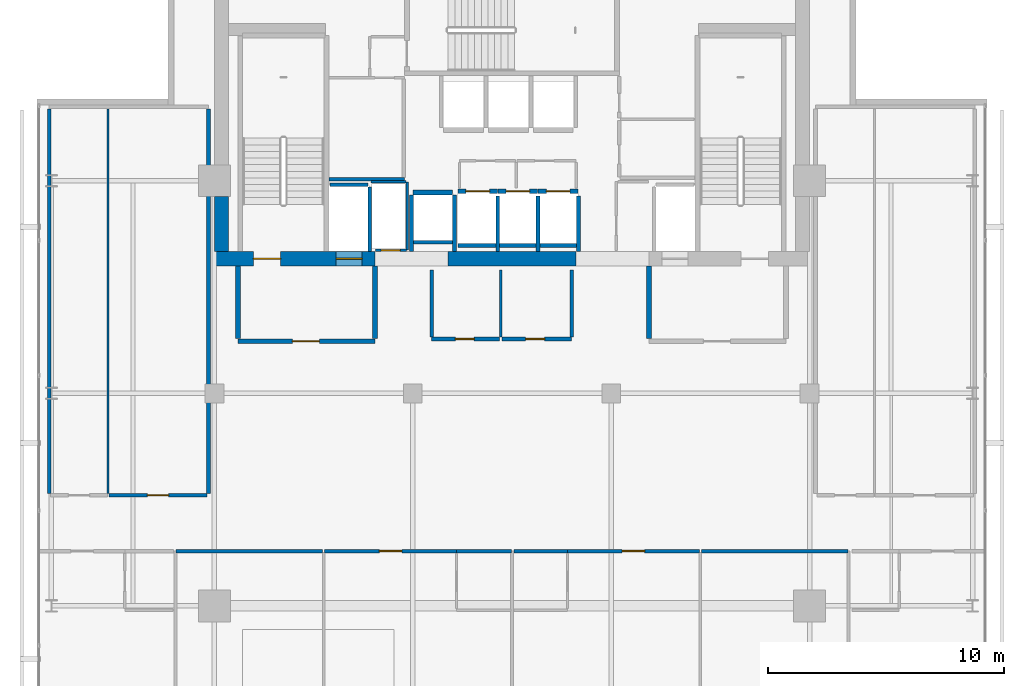
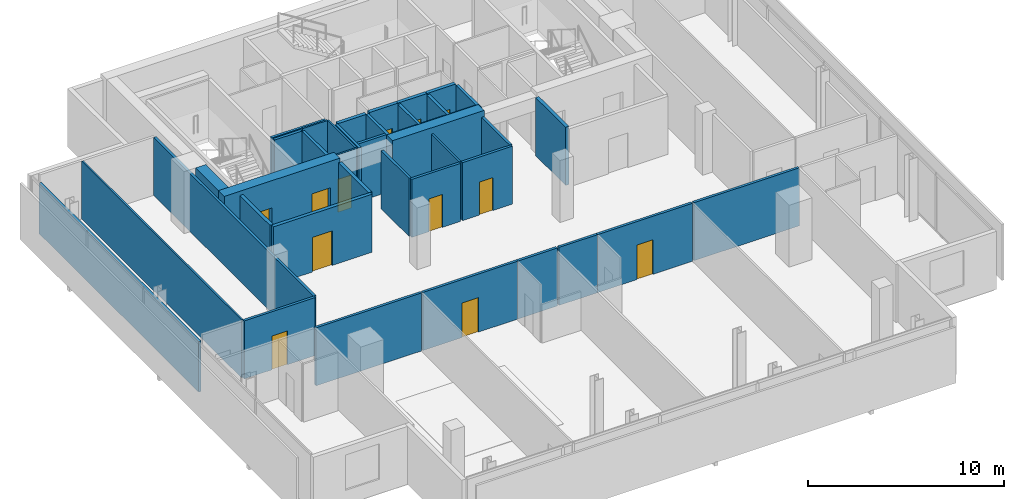
# One storey, part 17 of 23: 39 walls, 12 doors, 12 openings.
"""IFC4 building model written with IfcOpenShell, lengths in metres."""

import ifcopenshell
import ifcopenshell.guid

model = None  # the IFC model being written
_history = None  # IfcOwnerHistory: only IFC2X3 demands one
_inside = {}  # id of a spatial element -> (the spatial element, [elements in it])
_under = {}  # id of a project, library or spatial element -> (it, [spatial elements below it])
_declared = {}  # id of a project -> (the project, [libraries it declares])
_typed = {}  # id of a type object -> (the type object, [elements of that type])
_made_of = {}  # id of a material, layer set ... -> (it, [elements and type objects made of it])


def new_model(schema):
    """Start an empty IFC model of exactly this schema.

    Asked for "IFC4X3", IfcOpenShell would pick the latest addendum, in which some entities
    have other attributes; the version numbers below select the first issue.
    IFC2X3 requires an IfcOwnerHistory on every rooted entity: one is made here for all.
    """
    global model, _history
    if schema == "IFC4X3":
        model = ifcopenshell.file(schema_version=(4, 3, 0, 0))
    else:
        model = ifcopenshell.file(schema=schema)
    _inside.clear()
    _under.clear()
    _declared.clear()
    _typed.clear()
    _made_of.clear()
    _history = None
    if model.schema == "IFC2X3":
        org = make("IfcOrganization", Name="unknown")
        user = make(
            "IfcPersonAndOrganization",
            ThePerson=make("IfcPerson", FamilyName="unknown"),
            TheOrganization=org,
        )
        app = make(
            "IfcApplication",
            ApplicationDeveloper=org,
            Version="unknown",
            ApplicationFullName="unknown",
            ApplicationIdentifier="unknown",
        )
        _history = make(
            "IfcOwnerHistory",
            OwningUser=user,
            OwningApplication=app,
            ChangeAction="ADDED",
            CreationDate=0,
        )
    return model


def make(cls, **values):
    """One entity of the class cls with the attributes given. An attribute that is None is left unset."""
    return model.create_entity(
        cls, **{name: value for name, value in values.items() if value is not None}
    )


def rooted(cls, **values):
    """An entity with a GlobalId (a new one), such as an element, a storey or a relation."""
    return make(cls, GlobalId=ifcopenshell.guid.new(), OwnerHistory=_history, **values)


def si_unit(unit_type, name, prefix=None):
    """IfcSIUnit, for example si_unit("LENGTHUNIT", "METRE", prefix="MILLI")."""
    return make("IfcSIUnit", UnitType=unit_type, Prefix=prefix, Name=name)


def assignment(units):
    """IfcUnitAssignment: the units of a project."""
    return None if units is None else make("IfcUnitAssignment", Units=units)


def point(xyz):
    """IfcCartesianPoint."""
    return None if xyz is None else make("IfcCartesianPoint", Coordinates=xyz)


def direction(xyz):
    """IfcDirection."""
    return None if xyz is None else make("IfcDirection", DirectionRatios=xyz)


def frame(location, z_axis=None, x_axis=None):
    """IfcAxis2Placement3D, a coordinate frame: its origin and axes. An axis left out is left unset."""
    return make(
        "IfcAxis2Placement3D",
        Location=point(location),
        Axis=direction(z_axis),
        RefDirection=direction(x_axis),
    )


def frame_2d(location, x_axis=None):
    """IfcAxis2Placement2D, a coordinate frame in the plane: its origin and x axis."""
    return make(
        "IfcAxis2Placement2D", Location=point(location), RefDirection=direction(x_axis)
    )


def origin():
    """The frame at (0, 0, 0) with its axes left unset."""
    return frame((0.0, 0.0, 0.0))


def place(relative_to, where):
    """IfcLocalPlacement: puts the frame where relative to a parent placement (None: the world)."""
    return make(
        "IfcLocalPlacement", PlacementRelTo=relative_to, RelativePlacement=where
    )


def context(
    kind, dimensions, precision=None, world=None, true_north=None, identifier=None
):
    """IfcGeometricRepresentationContext, for example the 3D "Model" context."""
    return make(
        "IfcGeometricRepresentationContext",
        ContextIdentifier=identifier,
        ContextType=kind,
        CoordinateSpaceDimension=dimensions,
        Precision=precision,
        WorldCoordinateSystem=world,
        TrueNorth=true_north,
    )


def subcontext(parent, identifier, kind, view, scale=None):
    """IfcGeometricRepresentationSubContext, for example "Body" below "Model"."""
    return make(
        "IfcGeometricRepresentationSubContext",
        ContextIdentifier=identifier,
        ContextType=kind,
        ParentContext=parent,
        TargetScale=scale,
        TargetView=view,
    )


def project(units=None, contexts=None):
    """IfcProject with its units and contexts."""
    return rooted(
        "IfcProject",
        Name="project",
        RepresentationContexts=contexts,
        UnitsInContext=assignment(units),
    )


def spatial(cls, under=None, at=None, **own):
    """A site, building, storey or space (cls), placed at a placement, below another one or the project."""
    s = rooted(cls, ObjectPlacement=at, **own)
    if under is not None:
        _under.setdefault(under.id(), (under, []))[1].append(s)
    return s


def profile(cls, at=None, kind="AREA", **sizes):
    """A parametric profile (cls). Its sizes go by their IFC names, for example OverallWidth=200.0."""
    return make(cls, ProfileType=kind, Position=at, **sizes)


def rectangle(**sizes):
    """IfcRectangleProfileDef."""
    return profile("IfcRectangleProfileDef", **sizes)


def extrude(swept, where, along, depth):
    """IfcExtrudedAreaSolid: the profile swept, set in the frame where, extruded along a direction by depth."""
    return make(
        "IfcExtrudedAreaSolid",
        SweptArea=swept,
        Position=where,
        ExtrudedDirection=direction(along),
        Depth=depth,
    )


def shape(context_of_items, identifier, shape_type, items):
    """IfcShapeRepresentation: the items that make up one representation, for example the "Body"."""
    return make(
        "IfcShapeRepresentation",
        ContextOfItems=context_of_items,
        RepresentationIdentifier=identifier,
        RepresentationType=shape_type,
        Items=items,
    )


def material(Name=None, Category=None):
    """IfcMaterial."""
    return make("IfcMaterial", Name=Name, Category=Category)


def layer(
    of_material, thickness, ventilated=None, Name=None, Category=None, Priority=None
):
    """IfcMaterialLayer: one layer of a wall or slab, of a material (None: an air gap)."""
    return make(
        "IfcMaterialLayer",
        Material=of_material,
        LayerThickness=thickness,
        IsVentilated=ventilated,
        Name=Name,
        Category=Category,
        Priority=Priority,
    )


def layer_set(layers, Name=None):
    """IfcMaterialLayerSet."""
    return make("IfcMaterialLayerSet", MaterialLayers=layers, LayerSetName=Name)


def made_of(thing, what):
    """Note that an element or type object is made of a material, layer set ...; save() writes the relation."""
    if what is not None:
        _made_of.setdefault(what.id(), (what, []))[1].append(thing)
    return thing


def type_object(cls, material=None, **own):
    """A type object (cls), such as IfcWallType, which elements share."""
    return made_of(rooted(cls, **own), material)


def element(
    cls,
    number,
    at=None,
    inside=None,
    cuts=None,
    type_object=None,
    material=None,
    context=None,
    identifier="Body",
    shape_type=None,
    held_by="IfcProductDefinitionShape",
    body=None,
    shapes=None,
    **own,
):
    """One element of the class cls, such as IfcWall. Its Tag is "e" and its number.

    at: its placement. inside: the storey or other place that contains it. cuts: it is an
    opening in that element (IfcRelVoidsElement). A single representation is given by context,
    identifier, shape_type and body (its items); several are given by shapes. held_by: the class
    of the entity that holds the representations. save() writes the other relations.
    """
    e = rooted(cls, Tag="e%d" % number, ObjectPlacement=at, **own)
    if body is not None:
        shapes = [shape(context, identifier, shape_type, body)]
    if shapes is not None:
        e.Representation = make(held_by, Representations=shapes)
    if inside is not None:
        _inside.setdefault(inside.id(), (inside, []))[1].append(e)
    if cuts is not None:
        rooted(
            "IfcRelVoidsElement", RelatingBuildingElement=cuts, RelatedOpeningElement=e
        )
    if type_object is not None:
        _typed.setdefault(type_object.id(), (type_object, []))[1].append(e)
    return made_of(e, material)


def fill(opening, filler):
    """IfcRelFillsElement: the door or window that sits in an opening."""
    return rooted(
        "IfcRelFillsElement",
        RelatingOpeningElement=opening,
        RelatedBuildingElement=filler,
    )


def aggregate(whole, parts):
    """IfcRelAggregates: a whole, such as a stair, and the parts it consists of."""
    return rooted("IfcRelAggregates", RelatingObject=whole, RelatedObjects=parts)


def save(model, path):
    """Write the relations noted so far, then the file.

    IfcRelAggregates (storeys below a building ...), IfcRelContainedInSpatialStructure (elements
    in a storey), IfcRelDefinesByType, IfcRelAssociatesMaterial and IfcRelDeclares: one each for
    every whole, place, type object, material and project.
    """
    for whole, parts in _under.values():
        aggregate(whole, parts)
    for where, things in _inside.values():
        rooted(
            "IfcRelContainedInSpatialStructure",
            RelatedElements=things,
            RelatingStructure=where,
        )
    for kind, things in _typed.values():
        rooted("IfcRelDefinesByType", RelatedObjects=things, RelatingType=kind)
    for what, things in _made_of.values():
        rooted("IfcRelAssociatesMaterial", RelatedObjects=things, RelatingMaterial=what)
    for by, libraries in _declared.values():
        rooted("IfcRelDeclares", RelatingContext=by, RelatedDefinitions=libraries)
    model.write(path)


model = new_model("IFC4")

# Units and contexts
model_context = context("Model", 3, precision=1e-05, world=origin(), true_north=direction((0.0, 1.0)))
body_context = subcontext(model_context, "Body", "Model", "MODEL_VIEW")
ifc_project = project(units=[si_unit("LENGTHUNIT", "METRE"), si_unit("AREAUNIT", "SQUARE_METRE"), si_unit("VOLUMEUNIT", "CUBIC_METRE"), si_unit("PLANEANGLEUNIT", "RADIAN"), si_unit("MASSUNIT", "GRAM", prefix="KILO")], contexts=[model_context])

# Site, building, storey
site_placement = place(None, origin())
site = spatial("IfcSite", under=ifc_project, at=site_placement, CompositionType="ELEMENT")
building_placement = place(site_placement, origin())
building = spatial("IfcBuilding", under=site, at=building_placement, Name="Maruvema Waterfront Hotel and Observation Tower", CompositionType="ELEMENT")
storey_placement = place(building_placement, frame((0.0, 0.0, 337.39990234375)))
storey = spatial("IfcBuildingStorey", under=building, at=storey_placement, Name="L83", CompositionType="ELEMENT", Elevation=337.39990234375)

# Wall
ifc_material_1 = material(Name="Twin-stud acoustic gypsum drywall", Category="gypsum")
ifc_layer_1 = layer(ifc_material_1, 0.14990234375, Name="Acoustic Corridor and Suite Demising Wall 150 mm")
ifc_layer_set_1 = layer_set([ifc_layer_1], Name="Twin-stud acoustic gypsum drywall")
wall_type_1 = type_object("IfcWallType", Name="Acoustic Corridor and Suite Demising Wall 150 mm", PredefinedType="PARTITIONING", material=ifc_layer_set_1)
wall_1_placement = place(storey_placement, frame((30.06005859375, 45.06005859375, 0.0), z_axis=(0.0, 0.0, 1.0), x_axis=(1.0, 0.0, 0.0)))
element("IfcWall", 1, at=wall_1_placement, inside=storey, type_object=wall_type_1, Name="L83 Freed B1 South Wall 017", PredefinedType="PARTITIONING", context=body_context, shape_type="SweptSolid", body=[
    extrude(rectangle(XDim=3.179931640625, YDim=0.14990234375, at=frame_2d((1.58984375, 0.0))), origin(), (0.0, 0.0, 1.0), 3.610107421875),
])

# Wall, opening, door
wall_2_placement = place(storey_placement, frame((34.39990234375, 38.300048828125, 0.0), z_axis=(0.0, 0.0, 1.0), x_axis=(1.0, 0.0, 0.0)))
wall_2 = element("IfcWall", 2, at=wall_2_placement, inside=storey, type_object=wall_type_1, Name="L83 Core Apron K2A South 026", PredefinedType="PARTITIONING", context=body_context, shape_type="SweptSolid", body=[
    extrude(rectangle(XDim=2.880126953125, YDim=0.14990234375, at=frame_2d((1.43994140625, 0.0))), origin(), (0.0, 0.0, 1.0), 3.610107421875),
])
opening_1_placement = place(wall_2_placement, frame((1.0, 0.0, 0.0)))
opening_1 = element("IfcOpeningElement", 3, at=opening_1_placement, cuts=wall_2, Name="Opening DR-080", PredefinedType="OPENING", context=body_context, shape_type="SweptSolid", body=[
    extrude(rectangle(XDim=0.800048828125, YDim=2.050048828125, at=frame_2d((0.39990234375, 1.02490234375))), frame((0.0, 0.0849609375, 0.0), z_axis=(0.0, -1.0, 0.0), x_axis=(1.0, 0.0, 0.0)), (0.0, 0.0, 1.0), 0.169921875),
])
ifc_material_2 = material(Name="Powder-coated steel access leaf", Category="steel")
door_type_1 = type_object("IfcDoorType", Name="Riser and Service Cupboard Door 800x2050 mm", OperationType="NOTDEFINED", PredefinedType="DOOR", material=ifc_material_2)
door_1_placement = place(opening_1_placement, frame((0.800048828125, 0.0, 0.0), z_axis=(0.0, 0.0, 1.0), x_axis=(-1.0, 0.0, 0.0)))
door_1 = element("IfcDoor", 4, at=door_1_placement, inside=storey, type_object=door_type_1, Name="L83 Core Ice Alcove Door", OperationType="SINGLE_SWING_LEFT", OverallHeight=2.050048828125, OverallWidth=0.800048828125, PredefinedType="DOOR", context=body_context, shape_type="SweptSolid", body=[
    extrude(rectangle(XDim=0.800048828125, YDim=2.050048828125, at=frame_2d((0.39990234375, 1.02490234375))), frame((0.0, 0.02490234375, 0.0), z_axis=(0.0, -1.0, 0.0), x_axis=(1.0, 0.0, 0.0)), (0.0, 0.0, 1.0), 0.050048828125),
])
fill(opening_1, door_1)

wall_3_placement = place(storey_placement, frame((37.3798828125, 38.300048828125, 0.0), z_axis=(0.0, 0.0, 1.0), x_axis=(1.0, 0.0, 0.0)))
wall_3 = element("IfcWall", 5, at=wall_3_placement, inside=storey, type_object=wall_type_1, Name="L83 Core Apron K2B South 027", PredefinedType="PARTITIONING", context=body_context, shape_type="SweptSolid", body=[
    extrude(rectangle(XDim=2.940185546875, YDim=0.14990234375, at=frame_2d((1.47021484375, 0.0))), origin(), (0.0, 0.0, 1.0), 3.610107421875),
])
opening_2_placement = place(wall_3_placement, frame((1.0, 0.0, 0.0)))
opening_2 = element("IfcOpeningElement", 6, at=opening_2_placement, cuts=wall_3, Name="Opening DR-080", PredefinedType="OPENING", context=body_context, shape_type="SweptSolid", body=[
    extrude(rectangle(XDim=0.800048828125, YDim=2.050048828125, at=frame_2d((0.39990234375, 1.02490234375))), frame((0.0, 0.0849609375, 0.0), z_axis=(0.0, -1.0, 0.0), x_axis=(1.0, 0.0, 0.0)), (0.0, 0.0, 1.0), 0.169921875),
])
door_2_placement = place(opening_2_placement, frame((0.800048828125, 0.0, 0.0), z_axis=(0.0, 0.0, 1.0), x_axis=(-1.0, 0.0, 0.0)))
door_2 = element("IfcDoor", 7, at=door_2_placement, inside=storey, type_object=door_type_1, Name="L83 Core Valet Closet Door", OperationType="SINGLE_SWING_RIGHT", OverallHeight=2.050048828125, OverallWidth=0.800048828125, PredefinedType="DOOR", context=body_context, shape_type="SweptSolid", body=[
    extrude(rectangle(XDim=0.800048828125, YDim=2.050048828125, at=frame_2d((0.39990234375, 1.02490234375))), frame((0.0, 0.02490234375, 0.0), z_axis=(0.0, -1.0, 0.0), x_axis=(1.0, 0.0, 0.0)), (0.0, 0.0, 1.0), 0.050048828125),
])
fill(opening_2, door_2)

# Walls
for number, where, z_axis, x_axis, name in (
    (8, (34.39990234375, 38.3798828125, 0.0), (0.0, 0.0, 1.0), (0.0, 1.0, 0.0), "L83 Core Apron K2 West 028"),
    (9, (40.320068359375, 38.3798828125, 0.0), (0.0, 0.0, 1.0), (0.0, 1.0, 0.0), "L83 Core Apron K2 East 030"),
):
    element("IfcWall", number, at=place(storey_placement, frame(where, z_axis=z_axis, x_axis=x_axis)), inside=storey, type_object=wall_type_1, Name=name, PredefinedType="PARTITIONING", context=body_context, shape_type="SweptSolid", body=[
        extrude(rectangle(XDim=2.840087890625, YDim=0.14990234375, at=frame_2d((1.419921875, 0.0))), origin(), (0.0, 0.0, 1.0), 3.610107421875),
    ])
wall_4_placement = place(storey_placement, frame((18.199951171875, 31.760009765625, 0.0), z_axis=(0.0, 0.0, 1.0), x_axis=(0.0, 1.0, 0.0)))
element("IfcWall", 10, at=wall_4_placement, inside=storey, type_object=wall_type_1, Name="L83 L83-Z4W West Wall 032", PredefinedType="PARTITIONING", context=body_context, shape_type="SweptSolid", body=[
    extrude(rectangle(XDim=16.284912109375, YDim=0.14990234375, at=frame_2d((8.142578125, 0.0))), origin(), (0.0, 0.0, 1.0), 3.14111328125),
])
wall_5_placement = place(storey_placement, frame((24.949951171875, 31.760009765625, 0.0), z_axis=(0.0, 0.0, 1.0), x_axis=(0.0, 1.0, 0.0)))
element("IfcWall", 11, at=wall_5_placement, inside=storey, type_object=wall_type_1, Name="L83 L83-Z4W East Wall 033", PredefinedType="PARTITIONING", context=body_context, shape_type="SweptSolid", body=[
    extrude(rectangle(XDim=16.284912109375, YDim=0.14990234375, at=frame_2d((8.142578125, 0.0))), origin(), (0.0, 0.0, 1.0), 3.610107421875),
])

# Wall, opening, door
wall_6_placement = place(storey_placement, frame((20.7275390625, 31.679931640625, 0.0), z_axis=(0.0, 0.0, 1.0), x_axis=(1.0, 0.0, 0.0)))
wall_6 = element("IfcWall", 12, at=wall_6_placement, inside=storey, type_object=wall_type_1, Name="L83 L83-Z4W Front 2 036", PredefinedType="PARTITIONING", context=body_context, shape_type="SweptSolid", body=[
    extrude(rectangle(XDim=4.162353515625, YDim=0.14990234375, at=frame_2d((2.0810546875, 0.0))), origin(), (0.0, 0.0, 1.0), 3.610107421875),
])
opening_3_placement = place(wall_6_placement, frame((1.63134765625, 0.0, 0.0)))
opening_3 = element("IfcOpeningElement", 13, at=opening_3_placement, cuts=wall_6, Name="Opening DR-090", PredefinedType="OPENING", context=body_context, shape_type="SweptSolid", body=[
    extrude(rectangle(XDim=0.89990234375, YDim=2.10009765625, at=frame_2d((0.449951171875, 1.050048828125))), frame((0.0, 0.0849609375, 0.0), z_axis=(0.0, -1.0, 0.0), x_axis=(1.0, 0.0, 0.0)), (0.0, 0.0, 1.0), 0.169921875),
])
ifc_material_3 = material(Name="Solid-core lacquered timber leaf", Category="wood")
door_type_2 = type_object("IfcDoorType", Name="Accessible Toilet and Room Door 900x2100 mm", OperationType="NOTDEFINED", PredefinedType="DOOR", material=ifc_material_3)
door_3_placement = place(opening_3_placement, frame((0.89990234375, 0.0, 0.0), z_axis=(0.0, 0.0, 1.0), x_axis=(-1.0, 0.0, 0.0)))
door_3 = element("IfcDoor", 14, at=door_3_placement, inside=storey, type_object=door_type_2, Name="L83 Private Sommelier Dining Room Door", OperationType="SINGLE_SWING_RIGHT", OverallHeight=2.10009765625, OverallWidth=0.89990234375, PredefinedType="DOOR", context=body_context, shape_type="SweptSolid", body=[
    extrude(rectangle(XDim=0.89990234375, YDim=2.10009765625, at=frame_2d((0.449951171875, 1.050048828125))), frame((0.0, 0.02490234375, 0.0), z_axis=(0.0, -1.0, 0.0), x_axis=(1.0, 0.0, 0.0)), (0.0, 0.0, 1.0), 0.050048828125),
])
fill(opening_3, door_3)

# Walls
wall_7_placement = place(storey_placement, frame((35.449951171875, 29.320068359375, 0.0), z_axis=(0.0, 0.0, 1.0), x_axis=(1.0, 0.0, 0.0)))
element("IfcWall", 15, at=wall_7_placement, inside=storey, type_object=wall_type_1, Name="L83 Bath L83-SK1 Back Wall 045", PredefinedType="PARTITIONING", context=body_context, shape_type="SweptSolid", body=[
    extrude(rectangle(XDim=2.330078125, YDim=0.14990234375, at=frame_2d((1.1650390625, 0.0))), origin(), (0.0, 0.0, 1.0), 3.610107421875),
])
wall_8_placement = place(storey_placement, frame((23.58251953125, 29.320068359375, 0.0), z_axis=(0.0, 0.0, 1.0), x_axis=(1.0, 0.0, 0.0)))
element("IfcWall", 16, at=wall_8_placement, inside=storey, type_object=wall_type_1, Name="L83 Bedroom L83-SK1 Back Wall 048", PredefinedType="PARTITIONING", context=body_context, shape_type="SweptSolid", body=[
    extrude(rectangle(XDim=6.20458984375, YDim=0.14990234375, at=frame_2d((3.102294921875, 0.0))), origin(), (0.0, 0.0, 1.0), 3.610107421875),
])

# Wall, opening, door
wall_9_placement = place(storey_placement, frame((29.866943359375, 29.320068359375, 0.0), z_axis=(0.0, 0.0, 1.0), x_axis=(1.0, 0.0, 0.0)))
wall_9 = element("IfcWall", 17, at=wall_9_placement, inside=storey, type_object=wall_type_1, Name="L83 Unit L83-SK1 Corridor Wall 049", PredefinedType="PARTITIONING", context=body_context, shape_type="SweptSolid", body=[
    extrude(rectangle(XDim=5.5830078125, YDim=0.14990234375, at=frame_2d((2.79150390625, 0.0))), origin(), (0.0, 0.0, 1.0), 3.610107421875),
])
opening_4_placement = place(wall_9_placement, frame((2.31640625, 0.0, 0.0)))
opening_4 = element("IfcOpeningElement", 18, at=opening_4_placement, cuts=wall_9, Name="Opening DR-095", PredefinedType="OPENING", context=body_context, shape_type="SweptSolid", body=[
    extrude(rectangle(XDim=0.949951171875, YDim=2.14990234375, at=frame_2d((0.47509765625, 1.074951171875))), frame((0.0, 0.0849609375, 0.0), z_axis=(0.0, -1.0, 0.0), x_axis=(1.0, 0.0, 0.0)), (0.0, 0.0, 1.0), 0.169921875),
])
ifc_material_4 = material(Name="Acoustic solid-core hardwood timber leaf", Category="wood")
door_type_3 = type_object("IfcDoorType", Name="Guestroom Entrance Fire Door 950x2150 mm", OperationType="NOTDEFINED", PredefinedType="DOOR", material=ifc_material_4)
door_4_placement = place(opening_4_placement, frame((0.949951171875, 0.0, 0.0), z_axis=(0.0, 0.0, 1.0), x_axis=(-1.0, 0.0, 0.0)))
door_4 = element("IfcDoor", 19, at=door_4_placement, inside=storey, type_object=door_type_3, Name="L83 Unit L83-SK1 Entrance Door", OperationType="SINGLE_SWING_RIGHT", OverallHeight=2.14990234375, OverallWidth=0.949951171875, PredefinedType="DOOR", context=body_context, shape_type="SweptSolid", body=[
    extrude(rectangle(XDim=0.949951171875, YDim=2.14990234375, at=frame_2d((0.47509765625, 1.074951171875))), frame((0.0, 0.02490234375, 0.0), z_axis=(0.0, -1.0, 0.0), x_axis=(1.0, 0.0, 0.0)), (0.0, 0.0, 1.0), 0.050048828125),
])
fill(opening_4, door_4)

# Wall
wall_10_placement = place(storey_placement, frame((37.8798828125, 29.320068359375, 0.0), z_axis=(0.0, 0.0, 1.0), x_axis=(1.0, 0.0, 0.0)))
element("IfcWall", 20, at=wall_10_placement, inside=storey, type_object=wall_type_1, Name="L83 Bath L83-SK2 Back Wall 052", PredefinedType="PARTITIONING", context=body_context, shape_type="SweptSolid", body=[
    extrude(rectangle(XDim=2.27001953125, YDim=0.14990234375, at=frame_2d((1.135009765625, 0.0))), origin(), (0.0, 0.0, 1.0), 3.610107421875),
])

# Wall, opening, door
wall_11_placement = place(storey_placement, frame((40.14990234375, 29.320068359375, 0.0), z_axis=(0.0, 0.0, 1.0), x_axis=(1.0, 0.0, 0.0)))
wall_11 = element("IfcWall", 21, at=wall_11_placement, inside=storey, type_object=wall_type_1, Name="L83 Unit L83-SK2 Corridor Wall 055", PredefinedType="PARTITIONING", context=body_context, shape_type="SweptSolid", body=[
    extrude(rectangle(XDim=5.5830078125, YDim=0.14990234375, at=frame_2d((2.79150390625, 0.0))), origin(), (0.0, 0.0, 1.0), 3.610107421875),
])
opening_5_placement = place(wall_11_placement, frame((2.31640625, 0.0, 0.0)))
opening_5 = element("IfcOpeningElement", 22, at=opening_5_placement, cuts=wall_11, Name="Opening DR-095", PredefinedType="OPENING", context=body_context, shape_type="SweptSolid", body=[
    extrude(rectangle(XDim=0.949951171875, YDim=2.14990234375, at=frame_2d((0.47509765625, 1.074951171875))), frame((0.0, 0.0849609375, 0.0), z_axis=(0.0, -1.0, 0.0), x_axis=(1.0, 0.0, 0.0)), (0.0, 0.0, 1.0), 0.169921875),
])
door_5_placement = place(opening_5_placement, frame((0.949951171875, 0.0, 0.0), z_axis=(0.0, 0.0, 1.0), x_axis=(-1.0, 0.0, 0.0)))
door_5 = element("IfcDoor", 23, at=door_5_placement, inside=storey, type_object=door_type_3, Name="L83 Unit L83-SK2 Entrance Door", OperationType="SINGLE_SWING_LEFT", OverallHeight=2.14990234375, OverallWidth=0.949951171875, PredefinedType="DOOR", context=body_context, shape_type="SweptSolid", body=[
    extrude(rectangle(XDim=0.949951171875, YDim=2.14990234375, at=frame_2d((0.47509765625, 1.074951171875))), frame((0.0, 0.02490234375, 0.0), z_axis=(0.0, -1.0, 0.0), x_axis=(1.0, 0.0, 0.0)), (0.0, 0.0, 1.0), 0.050048828125),
])
fill(opening_5, door_5)

# Wall
wall_12_placement = place(storey_placement, frame((45.81298828125, 29.320068359375, 0.0), z_axis=(0.0, 0.0, 1.0), x_axis=(1.0, 0.0, 0.0)))
element("IfcWall", 24, at=wall_12_placement, inside=storey, type_object=wall_type_1, Name="L83 Bedroom L83-SK2 Back Wall 056", PredefinedType="PARTITIONING", context=body_context, shape_type="SweptSolid", body=[
    extrude(rectangle(XDim=6.20458984375, YDim=0.14990234375, at=frame_2d((3.102294921875, 0.0))), origin(), (0.0, 0.0, 1.0), 3.610107421875),
])

# Wall, opening, door
ifc_material_5 = material(Name="Precast concrete C45/55", Category="concrete")
ifc_layer_2 = layer(ifc_material_5, 0.199951171875, Name="Core Shaft and Stairwell Enclosure Wall 200 mm")
ifc_layer_set_2 = layer_set([ifc_layer_2], Name="Precast concrete C45/55")
wall_type_2 = type_object("IfcWallType", Name="Core Shaft and Stairwell Enclosure Wall 200 mm", PredefinedType="SOLIDWALL", material=ifc_layer_set_2)
wall_13_placement = place(storey_placement, frame((35.510009765625, 44.550048828125, 0.0), z_axis=(0.0, 0.0, 1.0), x_axis=(1.0, 0.0, 0.0)))
wall_13 = element("IfcWall", 25, at=wall_13_placement, inside=storey, type_object=wall_type_2, Name="L83 Lift LF-09 Hoistway Front Wall", PredefinedType="SOLIDWALL", context=body_context, shape_type="SweptSolid", body=[
    extrude(rectangle(XDim=1.679931640625, YDim=0.199951171875, at=frame_2d((0.83984375, 0.0))), origin(), (0.0, 0.0, 1.0), 3.610107421875),
])
opening_6_placement = place(wall_13_placement, frame((0.340087890625, 0.0, 0.0)))
opening_6 = element("IfcOpeningElement", 26, at=opening_6_placement, cuts=wall_13, Name="Opening LD-01", PredefinedType="OPENING", context=body_context, shape_type="SweptSolid", body=[
    extrude(rectangle(XDim=1.0, YDim=2.14990234375, at=frame_2d((0.5, 1.074951171875))), frame((0.0, 0.10986328125, 0.0), z_axis=(0.0, -1.0, 0.0), x_axis=(1.0, 0.0, 0.0)), (0.0, 0.0, 1.0), 0.219970703125),
])
ifc_material_6 = material(Name="Brushed stainless steel Grade 316", Category="steel")
door_type_4 = type_object("IfcDoorType", Name="Passenger Lift Sliding Landing Door 1000x2150 mm", OperationType="SLIDING_TO_LEFT", PredefinedType="DOOR", material=ifc_material_6)
door_6_placement = place(opening_6_placement, origin())
door_6 = element("IfcDoor", 27, at=door_6_placement, inside=storey, type_object=door_type_4, Name="L83 Lift LF-09 Sliding Landing Door", OperationType="SLIDING_TO_LEFT", OverallHeight=2.14990234375, OverallWidth=1.0, PredefinedType="DOOR", context=body_context, shape_type="SweptSolid", body=[
    extrude(rectangle(XDim=1.0, YDim=2.14990234375, at=frame_2d((0.5, 1.074951171875))), frame((0.0, 0.02490234375, 0.0), z_axis=(0.0, -1.0, 0.0), x_axis=(1.0, 0.0, 0.0)), (0.0, 0.0, 1.0), 0.050048828125),
])
fill(opening_6, door_6)

wall_14_placement = place(storey_placement, frame((37.2099609375, 44.550048828125, 0.0), z_axis=(0.0, 0.0, 1.0), x_axis=(1.0, 0.0, 0.0)))
wall_14 = element("IfcWall", 28, at=wall_14_placement, inside=storey, type_object=wall_type_2, Name="L83 Lift LF-10 Hoistway Front Wall", PredefinedType="SOLIDWALL", context=body_context, shape_type="SweptSolid", body=[
    extrude(rectangle(XDim=1.679931640625, YDim=0.199951171875, at=frame_2d((0.83984375, 0.0))), origin(), (0.0, 0.0, 1.0), 3.610107421875),
])
opening_7_placement = place(wall_14_placement, frame((0.340087890625, 0.0, 0.0)))
opening_7 = element("IfcOpeningElement", 29, at=opening_7_placement, cuts=wall_14, Name="Opening LD-01", PredefinedType="OPENING", context=body_context, shape_type="SweptSolid", body=[
    extrude(rectangle(XDim=1.0, YDim=2.14990234375, at=frame_2d((0.5, 1.074951171875))), frame((0.0, 0.10986328125, 0.0), z_axis=(0.0, -1.0, 0.0), x_axis=(1.0, 0.0, 0.0)), (0.0, 0.0, 1.0), 0.219970703125),
])
door_7_placement = place(opening_7_placement, origin())
door_7 = element("IfcDoor", 30, at=door_7_placement, inside=storey, type_object=door_type_4, Name="L83 Lift LF-10 Sliding Landing Door", OperationType="SLIDING_TO_LEFT", OverallHeight=2.14990234375, OverallWidth=1.0, PredefinedType="DOOR", context=body_context, shape_type="SweptSolid", body=[
    extrude(rectangle(XDim=1.0, YDim=2.14990234375, at=frame_2d((0.5, 1.074951171875))), frame((0.0, 0.02490234375, 0.0), z_axis=(0.0, -1.0, 0.0), x_axis=(1.0, 0.0, 0.0)), (0.0, 0.0, 1.0), 0.050048828125),
])
fill(opening_7, door_7)

wall_15_placement = place(storey_placement, frame((38.909912109375, 44.550048828125, 0.0), z_axis=(0.0, 0.0, 1.0), x_axis=(1.0, 0.0, 0.0)))
wall_15 = element("IfcWall", 31, at=wall_15_placement, inside=storey, type_object=wall_type_2, Name="L83 Lift LF-11 Hoistway Front Wall", PredefinedType="SOLIDWALL", context=body_context, shape_type="SweptSolid", body=[
    extrude(rectangle(XDim=1.68017578125, YDim=0.199951171875, at=frame_2d((0.840087890625, 0.0))), origin(), (0.0, 0.0, 1.0), 3.610107421875),
])
opening_8_placement = place(wall_15_placement, frame((0.340087890625, 0.0, 0.0)))
opening_8 = element("IfcOpeningElement", 32, at=opening_8_placement, cuts=wall_15, Name="Opening LD-01", PredefinedType="OPENING", context=body_context, shape_type="SweptSolid", body=[
    extrude(rectangle(XDim=1.0, YDim=2.14990234375, at=frame_2d((0.5, 1.074951171875))), frame((0.0, 0.10986328125, 0.0), z_axis=(0.0, -1.0, 0.0), x_axis=(1.0, 0.0, 0.0)), (0.0, 0.0, 1.0), 0.219970703125),
])
door_8_placement = place(opening_8_placement, origin())
door_8 = element("IfcDoor", 33, at=door_8_placement, inside=storey, type_object=door_type_4, Name="L83 Lift LF-11 Sliding Landing Door", OperationType="SLIDING_TO_LEFT", OverallHeight=2.14990234375, OverallWidth=1.0, PredefinedType="DOOR", context=body_context, shape_type="SweptSolid", body=[
    extrude(rectangle(XDim=1.0, YDim=2.14990234375, at=frame_2d((0.5, 1.074951171875))), frame((0.0, 0.02490234375, 0.0), z_axis=(0.0, -1.0, 0.0), x_axis=(1.0, 0.0, 0.0)), (0.0, 0.0, 1.0), 0.050048828125),
])
fill(opening_8, door_8)

# Wall
wall_16_placement = place(storey_placement, frame((33.610107421875, 44.5, 0.0), z_axis=(0.0, 0.0, 1.0), x_axis=(1.0, 0.0, 0.0)))
element("IfcWall", 34, at=wall_16_placement, inside=storey, type_object=wall_type_2, Name="L83 Lift LF-15 Hoistway Front Wall", PredefinedType="SOLIDWALL", context=body_context, shape_type="SweptSolid", body=[
    extrude(rectangle(XDim=1.679931640625, YDim=0.199951171875, at=frame_2d((0.83984375, 0.0))), origin(), (0.0, 0.0, 1.0), 3.610107421875),
])

# Wall, openings, doors
ifc_material_7 = material(Name="Concrete C60/75", Category="concrete")
ifc_layer_3 = layer(ifc_material_7, 0.60009765625, Name="Core Shear Wall 600 mm")
ifc_layer_set_3 = layer_set([ifc_layer_3], Name="Concrete C60/75")
wall_type_3 = type_object("IfcWallType", Name="Core Shear Wall 600 mm", PredefinedType="SHEAR", material=ifc_layer_set_3)
wall_17_placement = place(storey_placement, frame((25.199951171875, 41.699951171875, 0.0), z_axis=(0.0, 0.0, 1.0), x_axis=(1.0, 0.0, 0.0)))
wall_17 = element("IfcWall", 35, at=wall_17_placement, inside=storey, type_object=wall_type_3, Name="L83 South-West Core Shear Wall", PredefinedType="SHEAR", context=body_context, shape_type="SweptSolid", body=[
    extrude(rectangle(XDim=6.800048828125, YDim=0.60009765625, at=frame_2d((3.39990234375, 0.0))), origin(), (0.0, 0.0, 1.0), 3.85009765625),
])
opening_9_placement = place(wall_17_placement, frame((1.64990234375, 0.0, 0.0)))
opening_9 = element("IfcOpeningElement", 36, at=opening_9_placement, cuts=wall_17, Name="Opening SD-01", PredefinedType="OPENING", context=body_context, shape_type="SweptSolid", body=[
    extrude(rectangle(XDim=1.14990234375, YDim=2.14990234375, at=frame_2d((0.574951171875, 1.074951171875))), frame((0.0, 0.31005859375, 0.0), z_axis=(0.0, -1.0, 0.0), x_axis=(1.0, 0.0, 0.0)), (0.0, 0.0, 1.0), 0.6201171875),
])
opening_10_placement = place(wall_17_placement, frame((5.14990234375, 0.0, 0.0)))
opening_10 = element("IfcOpeningElement", 37, at=opening_10_placement, cuts=wall_17, Name="Opening LD-03", PredefinedType="OPENING", context=body_context, shape_type="SweptSolid", body=[
    extrude(rectangle(XDim=1.10009765625, YDim=2.199951171875, at=frame_2d((0.550048828125, 1.10009765625))), frame((0.0, 0.31005859375, 0.0), z_axis=(0.0, -1.0, 0.0), x_axis=(1.0, 0.0, 0.0)), (0.0, 0.0, 1.0), 0.6201171875),
])
ifc_material_8 = material(Name="Fire-rated galvanised steel leaf", Category="steel")
door_type_5 = type_object("IfcDoorType", Name="Exit Stair Fire Door 1150x2150 mm", OperationType="NOTDEFINED", PredefinedType="DOOR", material=ifc_material_8)
door_9_placement = place(opening_9_placement, origin())
door_9 = element("IfcDoor", 38, at=door_9_placement, inside=storey, type_object=door_type_5, Name="L83 Exit Stair ST-01 Fire Door", OperationType="SINGLE_SWING_LEFT", OverallHeight=2.14990234375, OverallWidth=1.14990234375, PredefinedType="DOOR", context=body_context, shape_type="SweptSolid", body=[
    extrude(rectangle(XDim=1.14990234375, YDim=2.14990234375, at=frame_2d((0.574951171875, 1.074951171875))), frame((0.0, 0.02490234375, 0.0), z_axis=(0.0, -1.0, 0.0), x_axis=(1.0, 0.0, 0.0)), (0.0, 0.0, 1.0), 0.050048828125),
])
fill(opening_9, door_9)
ifc_material_9 = material(Name="Brushed stainless steel Grade 316", Category="steel")
door_type_6 = type_object("IfcDoorType", Name="Firefighting Lift Sliding Landing Door 1100x2200 mm", OperationType="SLIDING_TO_LEFT", PredefinedType="DOOR", material=ifc_material_9)
door_10_placement = place(opening_10_placement, frame((1.10009765625, 0.0, 0.0), z_axis=(0.0, 0.0, 1.0), x_axis=(-1.0, 0.0, 0.0)))
door_10 = element("IfcDoor", 39, at=door_10_placement, inside=storey, type_object=door_type_6, Name="L83 Firefighting Lift FL-01 Landing Door", OperationType="SLIDING_TO_LEFT", OverallHeight=2.199951171875, OverallWidth=1.10009765625, PredefinedType="DOOR", context=body_context, shape_type="SweptSolid", body=[
    extrude(rectangle(XDim=1.10009765625, YDim=2.199951171875, at=frame_2d((0.550048828125, 1.10009765625))), frame((0.0, 0.02490234375, 0.0), z_axis=(0.0, -1.0, 0.0), x_axis=(1.0, 0.0, 0.0)), (0.0, 0.0, 1.0), 0.050048828125),
])
fill(opening_10, door_10)

# Walls
wall_18_placement = place(storey_placement, frame((35.10009765625, 41.699951171875, 0.0), z_axis=(0.0, 0.0, 1.0), x_axis=(1.0, 0.0, 0.0)))
element("IfcWall", 40, at=wall_18_placement, inside=storey, type_object=wall_type_3, Name="L83 South-Central Core Shear Wall", PredefinedType="SHEAR", context=body_context, shape_type="SweptSolid", body=[
    extrude(rectangle(XDim=5.39990234375, YDim=0.60009765625, at=frame_2d((2.699951171875, 0.0))), origin(), (0.0, 0.0, 1.0), 3.85009765625),
])
wall_19_placement = place(storey_placement, frame((25.5, 42.0, 0.0), z_axis=(0.0, 0.0, 1.0), x_axis=(0.0, 1.0, 0.0)))
element("IfcWall", 41, at=wall_19_placement, inside=storey, type_object=wall_type_3, Name="L83 West-South Core Shear Wall", PredefinedType="SHEAR", context=body_context, shape_type="SweptSolid", body=[
    extrude(rectangle(XDim=2.324951171875, YDim=0.60009765625, at=frame_2d((1.16259765625, 0.0))), origin(), (0.0, 0.0, 1.0), 3.85009765625),
])

# Wall, opening, door
ifc_material_10 = material(Name="Moisture-resistant cement-board drywall", Category="gypsum")
ifc_layer_4 = layer(ifc_material_10, 0.10009765625, Name="En-Suite Moisture-Resistant Partition 100 mm")
ifc_layer_set_4 = layer_set([ifc_layer_4], Name="Moisture-resistant cement-board drywall")
wall_type_4 = type_object("IfcWallType", Name="En-Suite Moisture-Resistant Partition 100 mm", PredefinedType="PARTITIONING", material=ifc_layer_set_4)
wall_20_placement = place(storey_placement, frame((32.02001953125, 42.06005859375, 0.0), z_axis=(0.0, 0.0, 1.0), x_axis=(1.0, 0.0, 0.0)))
wall_20 = element("IfcWall", 42, at=wall_20_placement, inside=storey, type_object=wall_type_4, Name="L83 Telecom Riser South Wall 007", PredefinedType="PARTITIONING", context=body_context, shape_type="SweptSolid", body=[
    extrude(rectangle(XDim=1.320068359375, YDim=0.10009765625, at=frame_2d((0.66015625, 0.0))), origin(), (0.0, 0.0, 1.0), 3.610107421875),
])
opening_11_placement = place(wall_20_placement, frame((0.239990234375, 0.0, 0.0)))
opening_11 = element("IfcOpeningElement", 43, at=opening_11_placement, cuts=wall_20, Name="Opening DR-080", PredefinedType="OPENING", context=body_context, shape_type="SweptSolid", body=[
    extrude(rectangle(XDim=0.800048828125, YDim=2.050048828125, at=frame_2d((0.39990234375, 1.02490234375))), frame((0.0, 0.06005859375, 0.0), z_axis=(0.0, -1.0, 0.0), x_axis=(1.0, 0.0, 0.0)), (0.0, 0.0, 1.0), 0.1201171875),
])
door_11_placement = place(opening_11_placement, frame((0.800048828125, 0.0, 0.0), z_axis=(0.0, 0.0, 1.0), x_axis=(-1.0, 0.0, 0.0)))
door_11 = element("IfcDoor", 44, at=door_11_placement, inside=storey, type_object=door_type_1, Name="L83 Telecom Riser Door", OperationType="SINGLE_SWING_LEFT", OverallHeight=2.050048828125, OverallWidth=0.800048828125, PredefinedType="DOOR", context=body_context, shape_type="SweptSolid", body=[
    extrude(rectangle(XDim=0.800048828125, YDim=2.050048828125, at=frame_2d((0.39990234375, 1.02490234375))), frame((0.0, 0.02490234375, 0.0), z_axis=(0.0, -1.0, 0.0), x_axis=(1.0, 0.0, 0.0)), (0.0, 0.0, 1.0), 0.050048828125),
])
fill(opening_11, door_11)

# Walls
wall_21_placement = place(storey_placement, frame((31.840087890625, 44.9599609375, 0.0), z_axis=(0.0, 0.0, 1.0), x_axis=(1.0, 0.0, 0.0)))
element("IfcWall", 45, at=wall_21_placement, inside=storey, type_object=wall_type_4, Name="L83 Telecom Riser North Wall 008", PredefinedType="PARTITIONING", context=body_context, shape_type="SweptSolid", body=[
    extrude(rectangle(XDim=1.47998046875, YDim=0.10009765625, at=frame_2d((0.739990234375, 0.0))), origin(), (0.0, 0.0, 1.0), 3.610107421875),
])
wall_22_placement = place(storey_placement, frame((33.360107421875, 42.06005859375, 0.0), z_axis=(0.0, 0.0, 1.0), x_axis=(0.0, 1.0, 0.0)))
element("IfcWall", 46, at=wall_22_placement, inside=storey, type_object=wall_type_4, Name="L83 Telecom Riser East Wall 009", PredefinedType="PARTITIONING", context=body_context, shape_type="SweptSolid", body=[
    extrude(rectangle(XDim=2.8798828125, YDim=0.10009765625, at=frame_2d((1.43994140625, 0.0))), origin(), (0.0, 0.0, 1.0), 3.610107421875),
])
wall_23_placement = place(storey_placement, frame((37.330078125, 38.3798828125, 0.0), z_axis=(0.0, 0.0, 1.0), x_axis=(0.0, 1.0, 0.0)))
element("IfcWall", 47, at=wall_23_placement, inside=storey, type_object=wall_type_4, Name="L83 Core Apron K2 Split 029", PredefinedType="PARTITIONING", context=body_context, shape_type="SweptSolid", body=[
    extrude(rectangle(XDim=2.840087890625, YDim=0.10009765625, at=frame_2d((1.419921875, 0.0))), origin(), (0.0, 0.0, 1.0), 3.610107421875),
])
wall_24_placement = place(storey_placement, frame((20.697509765625, 31.760009765625, 0.0), z_axis=(0.0, 0.0, 1.0), x_axis=(0.0, 1.0, 0.0)))
element("IfcWall", 48, at=wall_24_placement, inside=storey, type_object=wall_type_4, Name="L83 L83-Z4W Split 1 035", PredefinedType="PARTITIONING", context=body_context, shape_type="SweptSolid", body=[
    extrude(rectangle(XDim=16.284912109375, YDim=0.10009765625, at=frame_2d((8.142578125, 0.0))), origin(), (0.0, 0.0, 1.0), 3.610107421875),
])

# Wall, opening, door
ifc_material_11 = material(Name="Autoclaved cellular concrete blockwork", Category="masonry")
ifc_layer_5 = layer(ifc_material_11, 0.199951171875, Name="Fire Compartment Masonry Wall 200 mm")
ifc_layer_set_5 = layer_set([ifc_layer_5], Name="Autoclaved cellular concrete blockwork")
wall_type_5 = type_object("IfcWallType", Name="Fire Compartment Masonry Wall 200 mm", PredefinedType="PARTITIONING", material=ifc_layer_set_5)
wall_25_placement = place(storey_placement, frame((26.199951171875, 38.199951171875, 0.0), z_axis=(0.0, 0.0, 1.0), x_axis=(1.0, 0.0, 0.0)))
wall_25 = element("IfcWall", 49, at=wall_25_placement, inside=storey, type_object=wall_type_5, Name="L83 FFL West South Wall 001", PredefinedType="PARTITIONING", context=body_context, shape_type="SweptSolid", body=[
    extrude(rectangle(XDim=5.800048828125, YDim=0.199951171875, at=frame_2d((2.89990234375, 0.0))), origin(), (0.0, 0.0, 1.0), 3.610107421875),
])
opening_12_placement = place(wall_25_placement, frame((2.300048828125, 0.0, 0.0)))
opening_12 = element("IfcOpeningElement", 50, at=opening_12_placement, cuts=wall_25, Name="Opening FD-115", PredefinedType="OPENING", context=body_context, shape_type="SweptSolid", body=[
    extrude(rectangle(XDim=1.14990234375, YDim=2.14990234375, at=frame_2d((0.574951171875, 1.074951171875))), frame((0.0, 0.10986328125, 0.0), z_axis=(0.0, -1.0, 0.0), x_axis=(1.0, 0.0, 0.0)), (0.0, 0.0, 1.0), 0.219970703125),
])
ifc_material_12 = material(Name="Fire-rated galvanised steel and vision glass", Category="steel")
door_type_7 = type_object("IfcDoorType", Name="Firefighting Lobby Fire Door 1150x2150 mm", OperationType="NOTDEFINED", PredefinedType="DOOR", material=ifc_material_12)
door_12_placement = place(opening_12_placement, frame((1.14990234375, 0.0, 0.0), z_axis=(0.0, 0.0, 1.0), x_axis=(-1.0, 0.0, 0.0)))
door_12 = element("IfcDoor", 51, at=door_12_placement, inside=storey, type_object=door_type_7, Name="L83 Firefighting Lobby West Door", OperationType="SINGLE_SWING_LEFT", OverallHeight=2.14990234375, OverallWidth=1.14990234375, PredefinedType="DOOR", context=body_context, shape_type="SweptSolid", body=[
    extrude(rectangle(XDim=1.14990234375, YDim=2.14990234375, at=frame_2d((0.574951171875, 1.074951171875))), frame((0.0, 0.02490234375, 0.0), z_axis=(0.0, -1.0, 0.0), x_axis=(1.0, 0.0, 0.0)), (0.0, 0.0, 1.0), 0.050048828125),
])
fill(opening_12, door_12)

# Walls
for number, where, z_axis, x_axis, name in (
    (52, (26.199951171875, 38.31005859375, 0.0), (0.0, 0.0, 1.0), (0.0, 1.0, 0.0), "L83 FFL West West Wall 002"),
    (53, (32.0, 38.31005859375, 0.0), (0.0, 0.0, 1.0), (0.0, 1.0, 0.0), "L83 FFL West East Wall 003"),
    (54, (43.60009765625, 38.31005859375, 0.0), (0.0, 0.0, 1.0), (0.0, 1.0, 0.0), "L83 FFL East West Wall 005"),
):
    element("IfcWall", number, at=place(storey_placement, frame(where, z_axis=z_axis, x_axis=x_axis)), inside=storey, type_object=wall_type_5, Name=name, PredefinedType="PARTITIONING", context=body_context, shape_type="SweptSolid", body=[
        extrude(rectangle(XDim=3.06982421875, YDim=0.199951171875, at=frame_2d((1.534912109375, 0.0))), origin(), (0.0, 0.0, 1.0), 3.610107421875),
    ])
ifc_material_13 = material(Name="Precast concrete C45/55", Category="concrete")
ifc_layer_6 = layer(ifc_material_13, 0.159912109375, Name="Lift Hoistway Divider Wall 160 mm")
ifc_layer_set_6 = layer_set([ifc_layer_6], Name="Precast concrete C45/55")
wall_type_6 = type_object("IfcWallType", Name="Lift Hoistway Divider Wall 160 mm", PredefinedType="SOLIDWALL", material=ifc_layer_set_6)
wall_26_placement = place(storey_placement, frame((30.10009765625, 44.830078125, 0.0), z_axis=(0.0, 0.0, 1.0), x_axis=(1.0, 0.0, 0.0)))
element("IfcWall", 55, at=wall_26_placement, inside=storey, type_object=wall_type_6, Name="L83 Lift FL-01 Rear Hoistway Wall", PredefinedType="SOLIDWALL", context=body_context, shape_type="SweptSolid", body=[
    extrude(rectangle(XDim=1.599853515625, YDim=0.159912109375, at=frame_2d((0.7998046875, 0.0))), origin(), (0.0, 0.0, 1.0), 3.610107421875),
])
wall_27_placement = place(storey_placement, frame((31.780029296875, 42.0, 0.0), z_axis=(0.0, 0.0, 1.0), x_axis=(0.0, 1.0, 0.0)))
element("IfcWall", 56, at=wall_27_placement, inside=storey, type_object=wall_type_6, Name="L83 Lift FL-01 Inner Hoistway Wall", PredefinedType="SOLIDWALL", context=body_context, shape_type="SweptSolid", body=[
    extrude(rectangle(XDim=2.739990234375, YDim=0.159912109375, at=frame_2d((1.3701171875, 0.0))), origin(), (0.0, 0.0, 1.0), 3.610107421875),
])
for number, where, z_axis, x_axis, name in (
    (57, (37.199951171875, 42.0, 0.0), (0.0, 0.0, 1.0), (0.0, 1.0, 0.0), "L83 Hoistway Divider Wall"),
    (58, (38.89990234375, 42.0, 0.0), (0.0, 0.0, 1.0), (0.0, 1.0, 0.0), "L83 Hoistway Divider Wall"),
    (59, (40.6201171875, 42.0, 0.0), (0.0, 0.0, 1.0), (0.0, 1.0, 0.0), "L83 Hoistway Divider Wall"),
):
    element("IfcWall", number, at=place(storey_placement, frame(where, z_axis=z_axis, x_axis=x_axis)), inside=storey, type_object=wall_type_6, Name=name, PredefinedType="SOLIDWALL", context=body_context, shape_type="SweptSolid", body=[
        extrude(rectangle(XDim=2.35009765625, YDim=0.159912109375, at=frame_2d((1.175048828125, 0.0))), origin(), (0.0, 0.0, 1.0), 3.610107421875),
    ])
wall_28_placement = place(storey_placement, frame((35.52001953125, 42.260009765625, 0.0), z_axis=(0.0, 0.0, 1.0), x_axis=(1.0, 0.0, 0.0)))
element("IfcWall", 60, at=wall_28_placement, inside=storey, type_object=wall_type_6, Name="L83 Hoistway Divider Wall", PredefinedType="SOLIDWALL", context=body_context, shape_type="SweptSolid", body=[
    extrude(rectangle(XDim=5.02001953125, YDim=0.159912109375, at=frame_2d((2.510009765625, 0.0))), origin(), (0.0, 0.0, 1.0), 3.610107421875),
])
for number, where, z_axis, x_axis, name in (
    (61, (33.5400390625, 42.0, 0.0), (0.0, 0.0, 1.0), (0.0, 1.0, 0.0), "L83 Hoistway Divider Wall"),
    (62, (35.360107421875, 42.0, 0.0), (0.0, 0.0, 1.0), (0.0, 1.0, 0.0), "L83 Hoistway Divider Wall"),
):
    element("IfcWall", number, at=place(storey_placement, frame(where, z_axis=z_axis, x_axis=x_axis)), inside=storey, type_object=wall_type_6, Name=name, PredefinedType="SOLIDWALL", context=body_context, shape_type="SweptSolid", body=[
        extrude(rectangle(XDim=2.39990234375, YDim=0.159912109375, at=frame_2d((1.199951171875, 0.0))), origin(), (0.0, 0.0, 1.0), 3.610107421875),
    ])
wall_29_placement = place(storey_placement, frame((33.6201171875, 42.39990234375, 0.0), z_axis=(0.0, 0.0, 1.0), x_axis=(1.0, 0.0, 0.0)))
element("IfcWall", 63, at=wall_29_placement, inside=storey, type_object=wall_type_6, Name="L83 Hoistway Divider Wall", PredefinedType="SOLIDWALL", context=body_context, shape_type="SweptSolid", body=[
    extrude(rectangle(XDim=1.659912109375, YDim=0.159912109375, at=frame_2d((0.830078125, 0.0))), origin(), (0.0, 0.0, 1.0), 3.610107421875),
])

save(model, "model.ifc")
